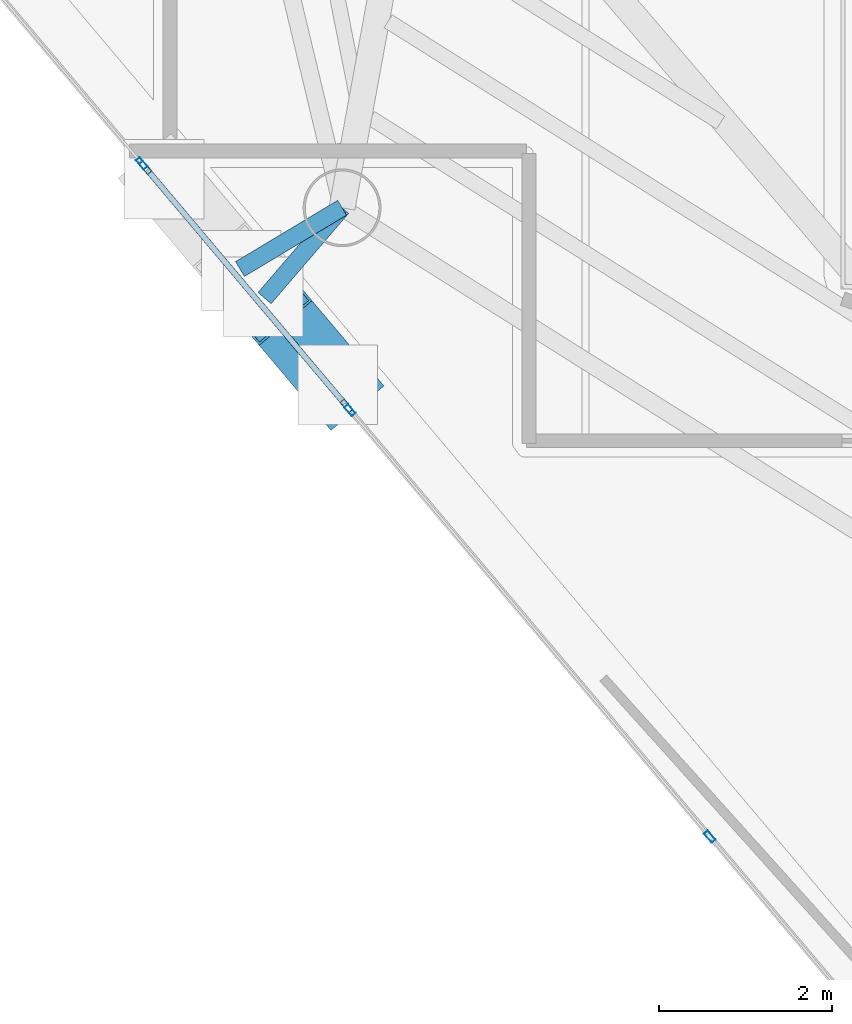
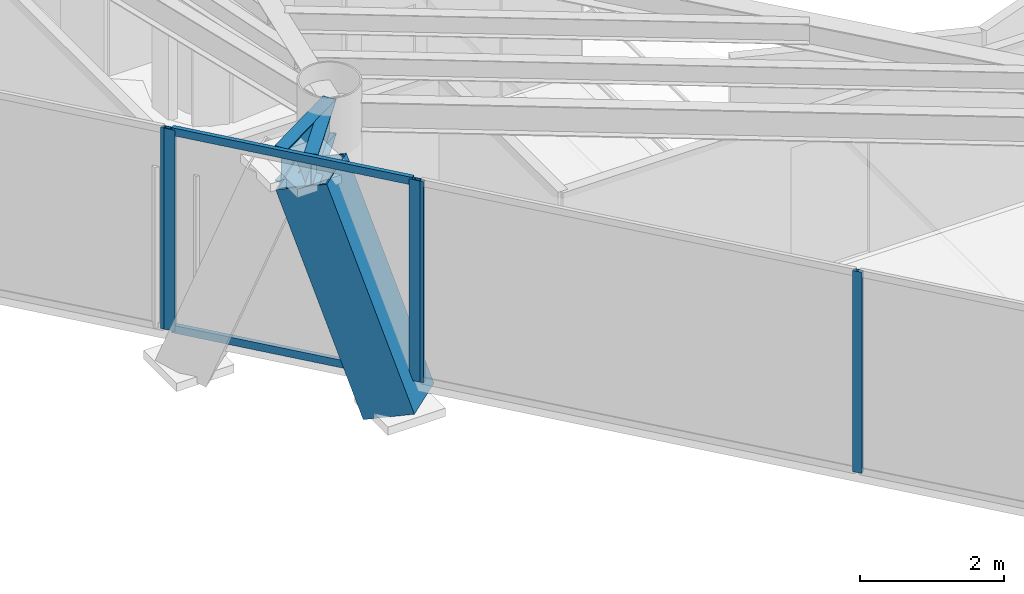
# One storey, part 2 of 20: 8 members, 2 beams, 3 elements without a shape of their own.
"""IFC4 building model written with IfcOpenShell, lengths in metres."""

from ifc_helpers import new_model, si_unit, direction, frame, origin, origin_2d, place, context, subcontext, project, spatial, hollow_rectangle, i_section, extrude, material, layer, layer_set, material_profile, profile_set, type_object, element, aggregate, save


model = new_model("IFC4")

# Units and contexts
model_context = context("Model", 3, precision=1e-05, world=origin(), true_north=direction((0.0, 1.0)))
body_context = subcontext(model_context, "Body", "Model", "MODEL_VIEW")
ifc_project = project(units=[si_unit("LENGTHUNIT", "METRE"), si_unit("AREAUNIT", "SQUARE_METRE"), si_unit("VOLUMEUNIT", "CUBIC_METRE"), si_unit("PLANEANGLEUNIT", "RADIAN"), si_unit("MASSUNIT", "GRAM", prefix="KILO")], contexts=[model_context])

# Site, building, storey
site_placement = place(None, origin())
site = spatial("IfcSite", under=ifc_project, at=site_placement, CompositionType="ELEMENT")
building_placement = place(site_placement, origin())
building = spatial("IfcBuilding", under=site, at=building_placement, Name="Qianvela Tower", CompositionType="ELEMENT")
storey_placement = place(building_placement, frame((0.0, 0.0, 317.60009765625)))
storey = spatial("IfcBuildingStorey", under=building, at=storey_placement, Name="L82", CompositionType="ELEMENT", Elevation=317.60009765625)

# Beams
ifc_material_1 = material(Name="Steel Q355B", Category="steel")
ifc_material_profile_1 = material_profile(ifc_material_1, i_section(OverallWidth=0.199951171875, OverallDepth=0.60009765625, WebThickness=0.010986328125, FlangeThickness=0.01708984375, at=origin_2d()), Name="HN600x200x11x17")
ifc_profile_set_1 = profile_set([ifc_material_profile_1], Name="Steel Q355B")
beam_type = type_object("IfcBeamType", Name="BM-HN600-GIRD", PredefinedType="BEAM", material=ifc_profile_set_1)
beam_1_placement = place(storey_placement, frame((27.669921875, 18.77392578125, 3.097900390625), z_axis=(-0.857524229008, -0.51444357967, 0.0), x_axis=(0.51444357967, -0.857524229008, 0.0)))
element("IfcBeam", 1, at=beam_1_placement, inside=storey, type_object=beam_type, Name="L82 Mega-Brace Column Tie Bracket F2-1", PredefinedType="BEAM", context=body_context, shape_type="SweptSolid", body=[
    extrude(i_section(OverallWidth=0.199951171875, OverallDepth=0.60009765625, WebThickness=0.010986328125, FlangeThickness=0.01708984375, at=origin_2d()), origin(), (0.0, 0.0, 1.0), 1.376220703125),
])
beam_2_placement = place(storey_placement, frame((27.669921875, 18.77392578125, 3.097900390625), z_axis=(-0.651317078905, -0.758805681796, 0.0), x_axis=(0.758805681796, -0.651317078905, 0.0)))
element("IfcBeam", 2, at=beam_2_placement, inside=storey, type_object=beam_type, Name="L82 Mega-Brace Column Tie Bracket F2-2", PredefinedType="BEAM", context=body_context, shape_type="SweptSolid", body=[
    extrude(i_section(OverallWidth=0.199951171875, OverallDepth=0.60009765625, WebThickness=0.010986328125, FlangeThickness=0.01708984375, at=origin_2d()), origin(), (0.0, 0.0, 1.0), 1.37646484375),
])

# Curtain wall, members
ifc_material_2 = material(Name="Anodised Architectural Aluminium and Insulated Spandrel Panel", Category="aluminium")
ifc_layer_1 = layer(ifc_material_2, 0.179931640625)
ifc_layer_set_1 = layer_set([ifc_layer_1], Name="Anodised Architectural Aluminium and Insulated Spandrel Panel")
curtain_wall_type_1 = type_object("IfcCurtainWallType", Name="CW-BRACEBAY", PredefinedType="USERDEFINED", material=ifc_layer_set_1)
curtain_wall_1_placement = place(storey_placement, origin())
curtain_wall_1 = element("IfcCurtainWall", 3, at=curtain_wall_1_placement, inside=storey, type_object=curtain_wall_type_1, Name="L82 CW-BRACEBAY Curtain Wall 04B", ObjectType="CURTAIN_WALL_SYSTEM", PredefinedType="USERDEFINED")
ifc_material_3 = material(Name="Anodised Architectural Aluminium 6063-T6", Category="aluminium")
ifc_material_profile_2 = material_profile(ifc_material_3, hollow_rectangle(XDim=0.06494140625, YDim=0.159912109375, WallThickness=0.0048828125, at=origin_2d()), Name="ALU-MULL-65x160")
ifc_profile_set_2 = profile_set([ifc_material_profile_2], Name="Anodised Architectural Aluminium 6063-T6")
member_type_1 = type_object("IfcMemberType", Name="CW-BRACEBAY-MULL", PredefinedType="MULLION", material=ifc_profile_set_2)
member_1_placement = place(storey_placement, frame((25.395263671875, 19.23876953125, 0.0), z_axis=(0.0, 0.0, 1.0), x_axis=(0.764244477964, 0.644926645365, 0.0)))
member_1 = element("IfcMember", 4, at=member_1_placement, type_object=member_type_1, Name="CW-9 mullion 1", PredefinedType="MULLION", context=body_context, shape_type="SweptSolid", body=[
    extrude(hollow_rectangle(XDim=0.06494140625, YDim=0.159912109375, WallThickness=0.0048828125, at=origin_2d()), origin(), (0.0, 0.0, 1.0), 3.39990234375),
])
member_2_placement = place(storey_placement, frame((27.720458984375, 16.483642578125, 0.0), z_axis=(0.0, 0.0, 1.0), x_axis=(0.764244477964, 0.644926645365, 0.0)))
member_2 = element("IfcMember", 5, at=member_2_placement, type_object=member_type_1, Name="CW-9 mullion 2", PredefinedType="MULLION", context=body_context, shape_type="SweptSolid", body=[
    extrude(hollow_rectangle(XDim=0.06494140625, YDim=0.159912109375, WallThickness=0.0048828125, at=origin_2d()), origin(), (0.0, 0.0, 1.0), 3.39990234375),
])
ifc_material_4 = material(Name="Anodised Architectural Aluminium 6063-T6", Category="aluminium")
ifc_material_profile_3 = material_profile(ifc_material_4, hollow_rectangle(XDim=0.06494140625, YDim=0.1298828125, WallThickness=0.00439453125, at=origin_2d()), Name="ALU-TRAN-65x130")
ifc_profile_set_3 = profile_set([ifc_material_profile_3], Name="Anodised Architectural Aluminium 6063-T6")
member_type_2 = type_object("IfcMemberType", Name="CW-BRACEBAY-TRAN", PredefinedType="USERDEFINED", material=ifc_profile_set_3)
member_3_placement = place(storey_placement, frame((25.416259765625, 19.2138671875, 0.032470703125), z_axis=(0.644967871647, -0.76420968624, 0.0), x_axis=(0.76420968624, 0.644967871647, 0.0)))
member_3 = element("IfcMember", 6, at=member_3_placement, type_object=member_type_2, Name="CW-9 transom 1.1", ObjectType="TRANSOM", PredefinedType="USERDEFINED", context=body_context, shape_type="SweptSolid", body=[
    extrude(hollow_rectangle(XDim=0.06494140625, YDim=0.1298828125, WallThickness=0.00439453125, at=origin_2d()), origin(), (0.0, 0.0, 1.0), 3.5400390625),
])
member_4_placement = place(storey_placement, frame((25.416259765625, 19.2138671875, 3.367431640625), z_axis=(0.644967871647, -0.76420968624, 0.0), x_axis=(0.76420968624, 0.644967871647, 0.0)))
member_4 = element("IfcMember", 7, at=member_4_placement, type_object=member_type_2, Name="CW-9 transom 1.2", ObjectType="TRANSOM", PredefinedType="USERDEFINED", context=body_context, shape_type="SweptSolid", body=[
    extrude(hollow_rectangle(XDim=0.06494140625, YDim=0.1298828125, WallThickness=0.00439453125, at=origin_2d()), origin(), (0.0, 0.0, 1.0), 3.5400390625),
])
aggregate(curtain_wall_1, [member_1, member_2, member_3, member_4])

# Curtain wall, member
ifc_material_5 = material(Name="Anodised Architectural Aluminium and Low-E Glass", Category="aluminium")
ifc_layer_2 = layer(ifc_material_5, 0.14990234375)
ifc_layer_set_2 = layer_set([ifc_layer_2], Name="Anodised Architectural Aluminium and Low-E Glass")
curtain_wall_type_2 = type_object("IfcCurtainWallType", Name="CW-COLIV-Z78", PredefinedType="USERDEFINED", material=ifc_layer_set_2)
curtain_wall_2_placement = place(storey_placement, origin())
curtain_wall_2 = element("IfcCurtainWall", 8, at=curtain_wall_2_placement, inside=storey, type_object=curtain_wall_type_2, Name="L82 CW-COLIV-Z78 Curtain Wall 04A", ObjectType="CURTAIN_WALL_SYSTEM", PredefinedType="USERDEFINED")
ifc_material_6 = material(Name="Anodised Architectural Aluminium 6063-T6", Category="aluminium")
ifc_material_profile_4 = material_profile(ifc_material_6, hollow_rectangle(XDim=0.06005859375, YDim=0.139892578125, WallThickness=0.00439453125, at=origin_2d()), Name="ALU-MULL-60x140")
ifc_profile_set_4 = profile_set([ifc_material_profile_4], Name="Anodised Architectural Aluminium 6063-T6")
member_type_3 = type_object("IfcMemberType", Name="CW-COLIV-Z78-MULL", PredefinedType="MULLION", material=ifc_profile_set_4)
member_5_placement = place(storey_placement, frame((25.35498046875, 19.28662109375, 0.0), z_axis=(0.0, 0.0, 1.0), x_axis=(0.764240322603, 0.644931569476, 0.0)))
member_5 = element("IfcMember", 9, at=member_5_placement, type_object=member_type_3, Name="CW-6 mullion 2", PredefinedType="MULLION", context=body_context, shape_type="SweptSolid", body=[
    extrude(hollow_rectangle(XDim=0.06005859375, YDim=0.139892578125, WallThickness=0.00439453125, at=origin_2d()), origin(), (0.0, 0.0, 1.0), 3.39990234375),
])
aggregate(curtain_wall_2, [member_5])

# Curtain wall, members
curtain_wall_3_placement = place(storey_placement, origin())
curtain_wall_3 = element("IfcCurtainWall", 10, at=curtain_wall_3_placement, inside=storey, type_object=curtain_wall_type_2, Name="L82 CW-COLIV-Z78 Curtain Wall 04C", ObjectType="CURTAIN_WALL_SYSTEM", PredefinedType="USERDEFINED")
member_6_placement = place(storey_placement, frame((27.7607421875, 16.435791015625, 0.0), z_axis=(0.0, 0.0, 1.0), x_axis=(0.764244670184, 0.644926417582, 0.0)))
member_6 = element("IfcMember", 11, at=member_6_placement, type_object=member_type_3, Name="CW-6 mullion 1", PredefinedType="MULLION", context=body_context, shape_type="SweptSolid", body=[
    extrude(hollow_rectangle(XDim=0.06005859375, YDim=0.139892578125, WallThickness=0.00439453125, at=origin_2d()), origin(), (0.0, 0.0, 1.0), 3.39990234375),
])
member_7_placement = place(storey_placement, frame((31.921630859375, 11.505126953125, 0.0), z_axis=(0.0, 0.0, 1.0), x_axis=(0.764244670184, 0.644926417582, 0.0)))
member_7 = element("IfcMember", 12, at=member_7_placement, type_object=member_type_3, Name="CW-6 mullion 2", PredefinedType="MULLION", context=body_context, shape_type="SweptSolid", body=[
    extrude(hollow_rectangle(XDim=0.06005859375, YDim=0.139892578125, WallThickness=0.00439453125, at=origin_2d()), origin(), (0.0, 0.0, 1.0), 3.39990234375),
])
aggregate(curtain_wall_3, [member_6, member_7])

# Member
ifc_material_7 = material(Name="Steel Q420GJC", Category="steel")
ifc_material_profile_5 = material_profile(ifc_material_7, hollow_rectangle(XDim=0.800048828125, YDim=0.800048828125, WallThickness=0.028076171875, at=origin_2d()), Name="MBOX-800x800x28")
ifc_profile_set_5 = profile_set([ifc_material_profile_5], Name="Steel Q420GJC")
member_type_4 = type_object("IfcMemberType", Name="MBR-MBRACE-800", PredefinedType="BRACE", material=ifc_profile_set_5)
member_8_placement = place(storey_placement, frame((27.604736328125, 16.744384765625, -0.482177734375), z_axis=(-0.218472146982, 0.258894306335, 0.940873880571), x_axis=(-0.764247723118, -0.644922799806, 0.0)))
element("IfcMember", 13, at=member_8_placement, inside=storey, type_object=member_type_4, Name="L82 Tier 13 Exterior Mega-Brace F2B", PredefinedType="BRACE", context=body_context, shape_type="SweptSolid", body=[
    extrude(hollow_rectangle(XDim=0.800048828125, YDim=0.800048828125, WallThickness=0.028076171875, at=origin_2d()), origin(), (0.0, 0.0, 1.0), 3.80517578125),
])

save(model, "model.ifc")
